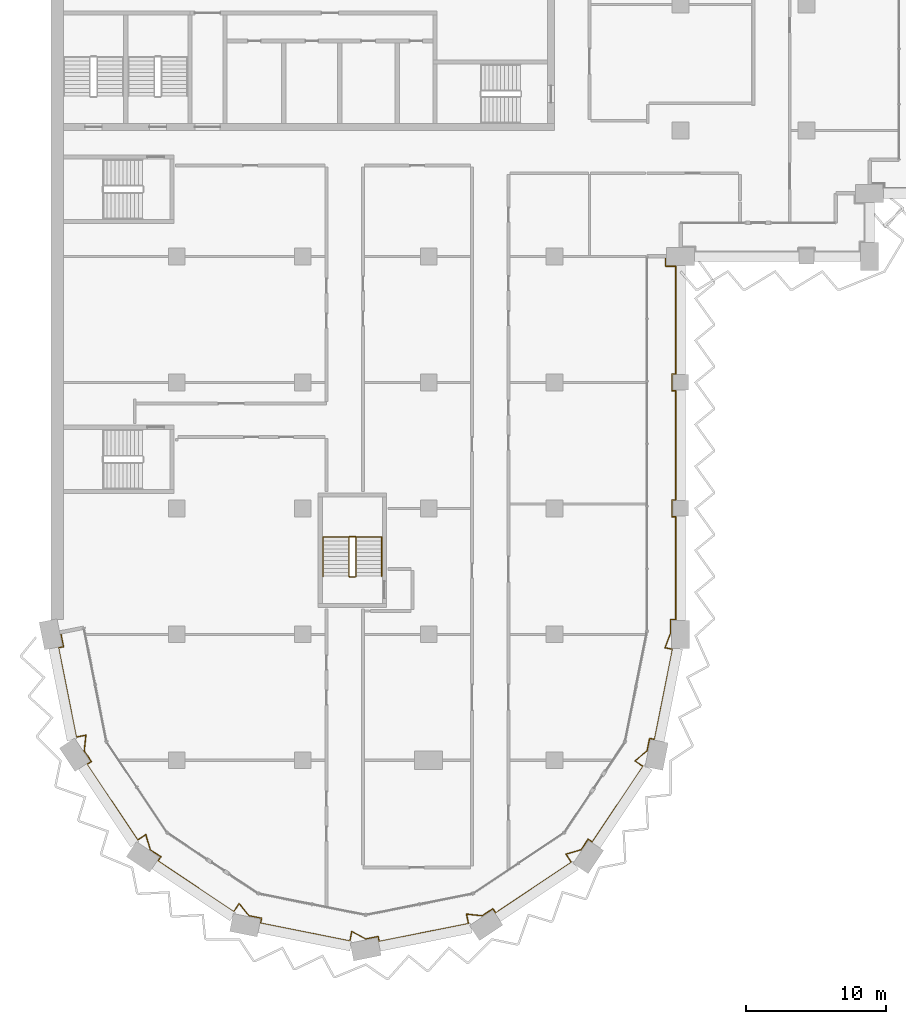
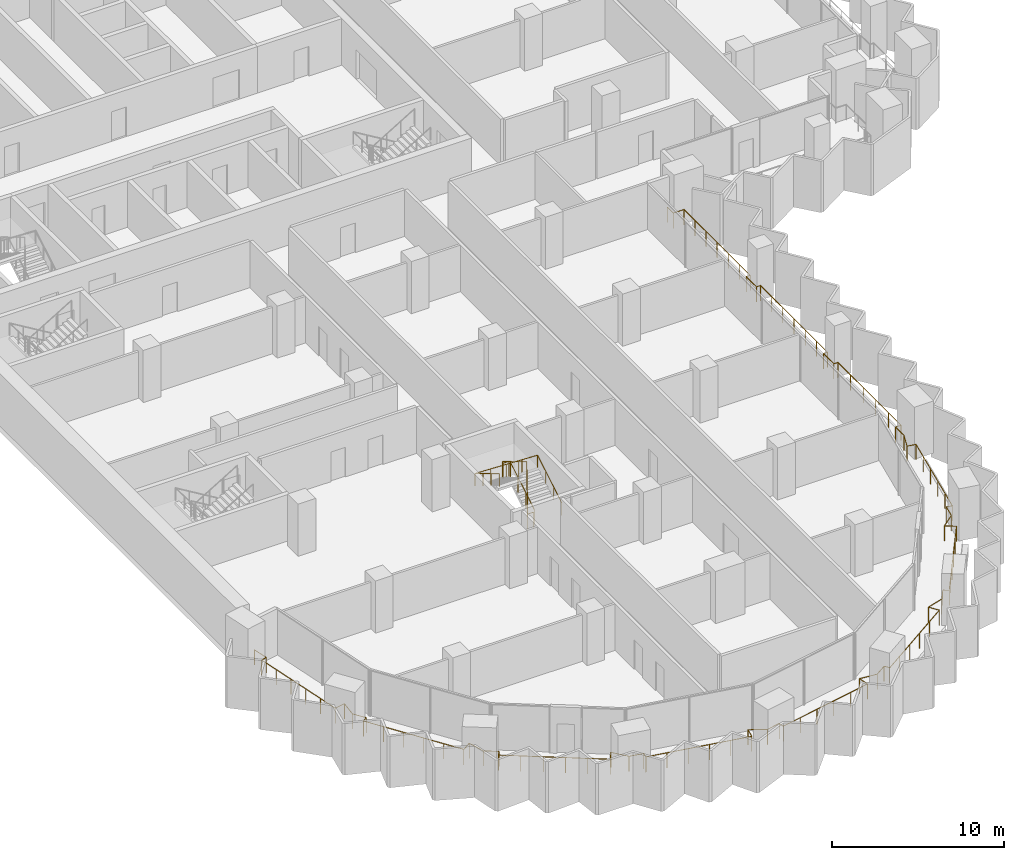
# One storey, part 20 of 23: 3 railings.
"""IFC4 building model written with IfcOpenShell, lengths in metres."""

import ifcopenshell
import ifcopenshell.guid

model = None  # the IFC model being written
_history = None  # IfcOwnerHistory: only IFC2X3 demands one
_inside = {}  # id of a spatial element -> (the spatial element, [elements in it])
_under = {}  # id of a project, library or spatial element -> (it, [spatial elements below it])
_declared = {}  # id of a project -> (the project, [libraries it declares])
_typed = {}  # id of a type object -> (the type object, [elements of that type])
_made_of = {}  # id of a material, layer set ... -> (it, [elements and type objects made of it])


def new_model(schema):
    """Start an empty IFC model of exactly this schema.

    Asked for "IFC4X3", IfcOpenShell would pick the latest addendum, in which some entities
    have other attributes; the version numbers below select the first issue.
    IFC2X3 requires an IfcOwnerHistory on every rooted entity: one is made here for all.
    """
    global model, _history
    if schema == "IFC4X3":
        model = ifcopenshell.file(schema_version=(4, 3, 0, 0))
    else:
        model = ifcopenshell.file(schema=schema)
    _inside.clear()
    _under.clear()
    _declared.clear()
    _typed.clear()
    _made_of.clear()
    _history = None
    if model.schema == "IFC2X3":
        org = make("IfcOrganization", Name="unknown")
        user = make(
            "IfcPersonAndOrganization",
            ThePerson=make("IfcPerson", FamilyName="unknown"),
            TheOrganization=org,
        )
        app = make(
            "IfcApplication",
            ApplicationDeveloper=org,
            Version="unknown",
            ApplicationFullName="unknown",
            ApplicationIdentifier="unknown",
        )
        _history = make(
            "IfcOwnerHistory",
            OwningUser=user,
            OwningApplication=app,
            ChangeAction="ADDED",
            CreationDate=0,
        )
    return model


def make(cls, **values):
    """One entity of the class cls with the attributes given. An attribute that is None is left unset."""
    return model.create_entity(
        cls, **{name: value for name, value in values.items() if value is not None}
    )


def rooted(cls, **values):
    """An entity with a GlobalId (a new one), such as an element, a storey or a relation."""
    return make(cls, GlobalId=ifcopenshell.guid.new(), OwnerHistory=_history, **values)


def si_unit(unit_type, name, prefix=None):
    """IfcSIUnit, for example si_unit("LENGTHUNIT", "METRE", prefix="MILLI")."""
    return make("IfcSIUnit", UnitType=unit_type, Prefix=prefix, Name=name)


def assignment(units):
    """IfcUnitAssignment: the units of a project."""
    return None if units is None else make("IfcUnitAssignment", Units=units)


def point(xyz):
    """IfcCartesianPoint."""
    return None if xyz is None else make("IfcCartesianPoint", Coordinates=xyz)


def direction(xyz):
    """IfcDirection."""
    return None if xyz is None else make("IfcDirection", DirectionRatios=xyz)


def frame(location, z_axis=None, x_axis=None):
    """IfcAxis2Placement3D, a coordinate frame: its origin and axes. An axis left out is left unset."""
    return make(
        "IfcAxis2Placement3D",
        Location=point(location),
        Axis=direction(z_axis),
        RefDirection=direction(x_axis),
    )


def frame_2d(location, x_axis=None):
    """IfcAxis2Placement2D, a coordinate frame in the plane: its origin and x axis."""
    return make(
        "IfcAxis2Placement2D", Location=point(location), RefDirection=direction(x_axis)
    )


def origin():
    """The frame at (0, 0, 0) with its axes left unset."""
    return frame((0.0, 0.0, 0.0))


def origin_2d():
    """The frame at (0, 0) in the plane with its x axis left unset."""
    return frame_2d((0.0, 0.0))


def place(relative_to, where):
    """IfcLocalPlacement: puts the frame where relative to a parent placement (None: the world)."""
    return make(
        "IfcLocalPlacement", PlacementRelTo=relative_to, RelativePlacement=where
    )


def context(
    kind, dimensions, precision=None, world=None, true_north=None, identifier=None
):
    """IfcGeometricRepresentationContext, for example the 3D "Model" context."""
    return make(
        "IfcGeometricRepresentationContext",
        ContextIdentifier=identifier,
        ContextType=kind,
        CoordinateSpaceDimension=dimensions,
        Precision=precision,
        WorldCoordinateSystem=world,
        TrueNorth=true_north,
    )


def subcontext(parent, identifier, kind, view, scale=None):
    """IfcGeometricRepresentationSubContext, for example "Body" below "Model"."""
    return make(
        "IfcGeometricRepresentationSubContext",
        ContextIdentifier=identifier,
        ContextType=kind,
        ParentContext=parent,
        TargetScale=scale,
        TargetView=view,
    )


def project(units=None, contexts=None):
    """IfcProject with its units and contexts."""
    return rooted(
        "IfcProject",
        Name="project",
        RepresentationContexts=contexts,
        UnitsInContext=assignment(units),
    )


def spatial(cls, under=None, at=None, **own):
    """A site, building, storey or space (cls), placed at a placement, below another one or the project."""
    s = rooted(cls, ObjectPlacement=at, **own)
    if under is not None:
        _under.setdefault(under.id(), (under, []))[1].append(s)
    return s


def profile(cls, at=None, kind="AREA", **sizes):
    """A parametric profile (cls). Its sizes go by their IFC names, for example OverallWidth=200.0."""
    return make(cls, ProfileType=kind, Position=at, **sizes)


def circle(**sizes):
    """IfcCircleProfileDef."""
    return profile("IfcCircleProfileDef", **sizes)


def extrude(swept, where, along, depth):
    """IfcExtrudedAreaSolid: the profile swept, set in the frame where, extruded along a direction by depth."""
    return make(
        "IfcExtrudedAreaSolid",
        SweptArea=swept,
        Position=where,
        ExtrudedDirection=direction(along),
        Depth=depth,
    )


def shape(context_of_items, identifier, shape_type, items):
    """IfcShapeRepresentation: the items that make up one representation, for example the "Body"."""
    return make(
        "IfcShapeRepresentation",
        ContextOfItems=context_of_items,
        RepresentationIdentifier=identifier,
        RepresentationType=shape_type,
        Items=items,
    )


def material(Name=None, Category=None):
    """IfcMaterial."""
    return make("IfcMaterial", Name=Name, Category=Category)


def made_of(thing, what):
    """Note that an element or type object is made of a material, layer set ...; save() writes the relation."""
    if what is not None:
        _made_of.setdefault(what.id(), (what, []))[1].append(thing)
    return thing


def type_object(cls, material=None, **own):
    """A type object (cls), such as IfcWallType, which elements share."""
    return made_of(rooted(cls, **own), material)


def element(
    cls,
    number,
    at=None,
    inside=None,
    cuts=None,
    type_object=None,
    material=None,
    context=None,
    identifier="Body",
    shape_type=None,
    held_by="IfcProductDefinitionShape",
    body=None,
    shapes=None,
    **own,
):
    """One element of the class cls, such as IfcWall. Its Tag is "e" and its number.

    at: its placement. inside: the storey or other place that contains it. cuts: it is an
    opening in that element (IfcRelVoidsElement). A single representation is given by context,
    identifier, shape_type and body (its items); several are given by shapes. held_by: the class
    of the entity that holds the representations. save() writes the other relations.
    """
    e = rooted(cls, Tag="e%d" % number, ObjectPlacement=at, **own)
    if body is not None:
        shapes = [shape(context, identifier, shape_type, body)]
    if shapes is not None:
        e.Representation = make(held_by, Representations=shapes)
    if inside is not None:
        _inside.setdefault(inside.id(), (inside, []))[1].append(e)
    if cuts is not None:
        rooted(
            "IfcRelVoidsElement", RelatingBuildingElement=cuts, RelatedOpeningElement=e
        )
    if type_object is not None:
        _typed.setdefault(type_object.id(), (type_object, []))[1].append(e)
    return made_of(e, material)


def aggregate(whole, parts):
    """IfcRelAggregates: a whole, such as a stair, and the parts it consists of."""
    return rooted("IfcRelAggregates", RelatingObject=whole, RelatedObjects=parts)


def save(model, path):
    """Write the relations noted so far, then the file.

    IfcRelAggregates (storeys below a building ...), IfcRelContainedInSpatialStructure (elements
    in a storey), IfcRelDefinesByType, IfcRelAssociatesMaterial and IfcRelDeclares: one each for
    every whole, place, type object, material and project.
    """
    for whole, parts in _under.values():
        aggregate(whole, parts)
    for where, things in _inside.values():
        rooted(
            "IfcRelContainedInSpatialStructure",
            RelatedElements=things,
            RelatingStructure=where,
        )
    for kind, things in _typed.values():
        rooted("IfcRelDefinesByType", RelatedObjects=things, RelatingType=kind)
    for what, things in _made_of.values():
        rooted("IfcRelAssociatesMaterial", RelatedObjects=things, RelatingMaterial=what)
    for by, libraries in _declared.values():
        rooted("IfcRelDeclares", RelatingContext=by, RelatedDefinitions=libraries)
    model.write(path)


model = new_model("IFC4")

# Units and contexts
model_context = context("Model", 3, precision=1e-05, world=origin(), true_north=direction((0.0, 1.0)))
body_context = subcontext(model_context, "Body", "Model", "MODEL_VIEW")
ifc_project = project(units=[si_unit("LENGTHUNIT", "METRE"), si_unit("AREAUNIT", "SQUARE_METRE"), si_unit("VOLUMEUNIT", "CUBIC_METRE"), si_unit("PLANEANGLEUNIT", "RADIAN"), si_unit("MASSUNIT", "GRAM", prefix="KILO")], contexts=[model_context])

# Site, building, storey
site_placement = place(None, origin())
site = spatial("IfcSite", under=ifc_project, at=site_placement, CompositionType="ELEMENT")
building_placement = place(site_placement, origin())
building = spatial("IfcBuilding", under=site, at=building_placement, Name="Hunhe Ridgeline Campus", CompositionType="ELEMENT")
storey_placement = place(building_placement, frame((0.0, 0.0, 152.300048828125)))
storey = spatial("IfcBuildingStorey", under=building, at=storey_placement, Name="L38", CompositionType="ELEMENT", Elevation=152.300048828125)

# Railings
ifc_material_1 = material(Name="Steel Q355", Category="steel")
railing_type_1 = type_object("IfcRailingType", Name="Loggia guard 1100 Steel Q355", PredefinedType="GUARDRAIL", material=ifc_material_1)
railing_1_placement = place(storey_placement, frame((0.7060546875, 27.140380859375, 0.0)))
element("IfcRailing", 1, at=railing_1_placement, inside=storey, type_object=railing_type_1, Name="Loggia guard 1", PredefinedType="GUARDRAIL", context=body_context, shape_type="SweptSolid", body=[
    extrude(circle(Radius=0.02392578125, at=origin_2d()), frame((0.0, 0.0, 1.076171875), z_axis=(0.195087556151, -0.980785830564, 0.0), x_axis=(0.980785830564, 0.195087556151, 0.0)), (0.0, 0.0, 1.0), 1.050048828125),
    extrude(circle(Radius=0.02392578125, at=origin_2d()), frame((0.204833984375, -1.02978515625, 1.076171875), z_axis=(-0.980858940504, -0.194719641621, 0.0), x_axis=(0.194719641621, -0.980858940504, 0.0)), (0.0, 0.0, 1.0), 0.369873046875),
    extrude(circle(Radius=0.02392578125, at=origin_2d()), frame((-0.157958984375, -1.101806640625, 1.076171875), z_axis=(0.19507695386, -0.9807879394, 0.0), x_axis=(0.9807879394, 0.19507695386, 0.0)), (0.0, 0.0, 1.0), 6.506591796875),
    extrude(circle(Radius=0.02392578125, at=origin_2d()), frame((1.111328125, -7.4833984375, 1.076171875), z_axis=(0.980780459814, 0.195114555191, 0.0), x_axis=(-0.195114555191, 0.980780459814, 0.0)), (0.0, 0.0, 1.0), 0.703125),
    extrude(circle(Radius=0.02392578125, at=origin_2d()), frame((1.801025390625, -7.34619140625, 1.076171875), z_axis=(-0.102884402445, -0.994693319437, 0.0), x_axis=(0.994693319437, -0.102884402445, 0.0)), (0.0, 0.0, 1.0), 1.129638671875),
    extrude(circle(Radius=0.02392578125, at=origin_2d()), frame((1.684814453125, -8.4697265625, 1.076171875), z_axis=(0.555569523548, -0.831470086356, 0.0), x_axis=(0.831470086356, 0.555569523548, 0.0)), (0.0, 0.0, 1.0), 0.906982421875),
    extrude(circle(Radius=0.02392578125, at=origin_2d()), frame((2.188720703125, -9.223876953125, 1.076171875), z_axis=(-0.831440678638, -0.555613532868, 0.0), x_axis=(0.555613532868, -0.831440678638, 0.0)), (0.0, 0.0, 1.0), 0.369873046875),
    extrude(circle(Radius=0.02392578125, at=origin_2d()), frame((1.881103515625, -9.429443359375, 1.076171875), z_axis=(0.55556581165, -0.83147256655, 0.0), x_axis=(0.83147256655, 0.55556581165, 0.0)), (0.0, 0.0, 1.0), 6.50634765625),
    extrude(circle(Radius=0.02392578125, at=origin_2d()), frame((5.495849609375, -14.83935546875, 1.076171875), z_axis=(0.831355400166, 0.555741125539, 0.0), x_axis=(-0.555741125539, 0.831355400166, 0.0)), (0.0, 0.0, 1.0), 0.703369140625),
    extrude(circle(Radius=0.02392578125, at=origin_2d()), frame((6.08056640625, -14.448486328125, 1.076171875), z_axis=(0.285463917281, -0.958389457335, 0.0), x_axis=(0.958389457335, 0.285463917281, 0.0)), (0.0, 0.0, 1.0), 1.1298828125),
    extrude(circle(Radius=0.02392578125, at=origin_2d()), frame((6.403076171875, -15.53125, 1.076171875), z_axis=(0.831511358569, -0.555507750235, 0.0), x_axis=(0.555507750235, 0.831511358569, 0.0)), (0.0, 0.0, 1.0), 0.90673828125),
    extrude(circle(Radius=0.02392578125, at=origin_2d()), frame((7.156982421875, -16.034912109375, 1.076171875), z_axis=(-0.555613532868, -0.831440678638, 0.0), x_axis=(0.831440678638, -0.555613532868, 0.0)), (0.0, 0.0, 1.0), 0.369873046875),
    extrude(circle(Radius=0.02392578125, at=origin_2d()), frame((6.951416015625, -16.342529296875, 1.076171875), z_axis=(0.831455233209, -0.555591752251, 0.0), x_axis=(0.555591752251, 0.831455233209, 0.0)), (0.0, 0.0, 1.0), 6.506591796875),
    extrude(circle(Radius=0.02392578125, at=origin_2d()), frame((12.361328125, -19.95751953125, 1.076171875), z_axis=(0.555741125539, 0.831355400166, 0.0), x_axis=(-0.831355400166, 0.555741125539, 0.0)), (0.0, 0.0, 1.0), 0.703369140625),
    extrude(circle(Radius=0.02392578125, at=origin_2d()), frame((12.752197265625, -19.372802734375, 1.076171875), z_axis=(0.630633305327, -0.776080945657, 0.0), x_axis=(0.776080945657, 0.630633305327, 0.0)), (0.0, 0.0, 1.0), 1.129638671875),
    extrude(circle(Radius=0.02392578125, at=origin_2d()), frame((13.464599609375, -20.24951171875, 1.076171875), z_axis=(0.980807887006, -0.194976636516, 0.0), x_axis=(0.194976636516, 0.980807887006, 0.0)), (0.0, 0.0, 1.0), 0.906494140625),
    extrude(circle(Radius=0.02392578125, at=origin_2d()), frame((14.353759765625, -20.42626953125, 1.076171875), z_axis=(-0.194593653816, -0.980883943132, 0.0), x_axis=(0.980883943132, -0.194593653816, 0.0)), (0.0, 0.0, 1.0), 0.3701171875),
    extrude(circle(Radius=0.02392578125, at=origin_2d()), frame((14.28173828125, -20.789306640625, 1.076171875), z_axis=(0.98078651142, -0.195084133173, 0.0), x_axis=(0.195084133173, 0.98078651142, 0.0)), (0.0, 0.0, 1.0), 6.50634765625),
    extrude(circle(Radius=0.02392578125, at=origin_2d()), frame((20.6630859375, -22.05859375, 1.076171875), z_axis=(0.195114555191, 0.980780459814, 0.0), x_axis=(-0.980780459814, 0.195114555191, 0.0)), (0.0, 0.0, 1.0), 0.703125),
    extrude(circle(Radius=0.02392578125, at=origin_2d()), frame((20.80029296875, -21.368896484375, 1.076171875), z_axis=(0.879616090555, -0.475684278946, 0.0), x_axis=(0.475684278946, 0.879616090555, 0.0)), (0.0, 0.0, 1.0), 1.129638671875),
    extrude(circle(Radius=0.02392578125, at=origin_2d()), frame((21.7939453125, -21.90625, 1.076171875), z_axis=(0.98081812081, 0.194925149456, 0.0), x_axis=(-0.194925149456, 0.98081812081, 0.0)), (0.0, 0.0, 1.0), 0.90673828125),
    extrude(circle(Radius=0.02392578125, at=origin_2d()), frame((22.683349609375, -21.7294921875, 1.076171875), z_axis=(0.194719641621, -0.980858940504, 0.0), x_axis=(0.980858940504, 0.194719641621, 0.0)), (0.0, 0.0, 1.0), 0.369873046875),
    extrude(circle(Radius=0.02392578125, at=origin_2d()), frame((22.75537109375, -22.09228515625, 1.076171875), z_axis=(0.9807879394, 0.19507695386, 0.0), x_axis=(-0.19507695386, 0.9807879394, 0.0)), (0.0, 0.0, 1.0), 6.506591796875),
    extrude(circle(Radius=0.02392578125, at=origin_2d()), frame((29.136962890625, -20.822998046875, 1.076171875), z_axis=(-0.195114555191, 0.980780459814, 0.0), x_axis=(-0.980780459814, -0.195114555191, 0.0)), (0.0, 0.0, 1.0), 0.703125),
    extrude(circle(Radius=0.02392578125, at=origin_2d()), frame((28.999755859375, -20.13330078125, 1.076171875), z_axis=(0.994693319437, -0.102884402445, 0.0), x_axis=(0.102884402445, 0.994693319437, 0.0)), (0.0, 0.0, 1.0), 1.129638671875),
    extrude(circle(Radius=0.02392578125, at=origin_2d()), frame((30.123291015625, -20.24951171875, 1.076171875), z_axis=(0.831470086356, 0.555569523548, 0.0), x_axis=(-0.555569523548, 0.831470086356, 0.0)), (0.0, 0.0, 1.0), 0.906982421875),
    extrude(circle(Radius=0.02392578125, at=origin_2d()), frame((30.87744140625, -19.74560546875, 1.076171875), z_axis=(0.555613532868, -0.831440678638, 0.0), x_axis=(0.831440678638, 0.555613532868, 0.0)), (0.0, 0.0, 1.0), 0.369873046875),
    extrude(circle(Radius=0.02392578125, at=origin_2d()), frame((31.0830078125, -20.05322265625, 1.076171875), z_axis=(0.83147256655, 0.55556581165, 0.0), x_axis=(-0.55556581165, 0.83147256655, 0.0)), (0.0, 0.0, 1.0), 6.50634765625),
    extrude(circle(Radius=0.02392578125, at=origin_2d()), frame((36.492919921875, -16.4384765625, 1.076171875), z_axis=(-0.555741125539, 0.831355400166, 0.0), x_axis=(-0.831355400166, -0.555741125539, 0.0)), (0.0, 0.0, 1.0), 0.703369140625),
    extrude(circle(Radius=0.02392578125, at=origin_2d()), frame((36.10205078125, -15.853759765625, 1.076171875), z_axis=(0.958389457335, 0.285463917281, 0.0), x_axis=(-0.285463917281, 0.958389457335, 0.0)), (0.0, 0.0, 1.0), 1.1298828125),
    extrude(circle(Radius=0.02392578125, at=origin_2d()), frame((37.184814453125, -15.53125, 1.076171875), z_axis=(0.555507750235, 0.831511358569, 0.0), x_axis=(-0.831511358569, 0.555507750235, 0.0)), (0.0, 0.0, 1.0), 0.90673828125),
    extrude(circle(Radius=0.02392578125, at=origin_2d()), frame((37.6884765625, -14.77734375, 1.076171875), z_axis=(0.831440678638, -0.555613532868, 0.0), x_axis=(0.555613532868, 0.831440678638, 0.0)), (0.0, 0.0, 1.0), 0.369873046875),
    extrude(circle(Radius=0.02392578125, at=origin_2d()), frame((37.99609375, -14.98291015625, 1.076171875), z_axis=(0.555591752251, 0.831455233209, 0.0), x_axis=(-0.831455233209, 0.555591752251, 0.0)), (0.0, 0.0, 1.0), 6.506591796875),
    extrude(circle(Radius=0.02392578125, at=origin_2d()), frame((41.611083984375, -9.572998046875, 1.076171875), z_axis=(-0.831355400166, 0.555741125539, 0.0), x_axis=(-0.555741125539, -0.831355400166, 0.0)), (0.0, 0.0, 1.0), 0.703369140625),
    extrude(circle(Radius=0.02392578125, at=origin_2d()), frame((41.0263671875, -9.18212890625, 1.076171875), z_axis=(0.776080945657, 0.630633305327, 0.0), x_axis=(-0.630633305327, 0.776080945657, 0.0)), (0.0, 0.0, 1.0), 1.129638671875),
    extrude(circle(Radius=0.02392578125, at=origin_2d()), frame((41.903076171875, -8.4697265625, 1.076171875), z_axis=(0.194976636516, 0.980807887006, 0.0), x_axis=(-0.980807887006, 0.194976636516, 0.0)), (0.0, 0.0, 1.0), 0.906494140625),
    extrude(circle(Radius=0.02392578125, at=origin_2d()), frame((42.079833984375, -7.58056640625, 1.076171875), z_axis=(0.980883943132, -0.194593653816, 0.0), x_axis=(0.194593653816, 0.980883943132, 0.0)), (0.0, 0.0, 1.0), 0.3701171875),
    extrude(circle(Radius=0.02392578125, at=origin_2d()), frame((42.44287109375, -7.652587890625, 1.076171875), z_axis=(0.195087191819, 0.980785903033, 0.0), x_axis=(-0.980785903033, 0.195087191819, 0.0)), (0.0, 0.0, 1.0), 6.5712890625),
    extrude(circle(Radius=0.02392578125, at=origin_2d()), frame((43.724853515625, -1.20751953125, 1.076171875), z_axis=(-0.9807502228, 0.195266485801, 0.0), x_axis=(-0.195266485801, -0.9807502228, 0.0)), (0.0, 0.0, 1.0), 0.552734375),
    extrude(circle(Radius=0.02392578125, at=origin_2d()), frame((43.182861328125, -1.099609375, 1.076171875), z_axis=(0.354981524628, 0.934873316109, 0.0), x_axis=(-0.934873316109, 0.354981524628, 0.0)), (0.0, 0.0, 1.0), 1.101806640625),
    extrude(circle(Radius=0.02392578125, at=origin_2d()), frame((43.573974609375, -0.069580078125, 1.076171875), z_axis=(0.0, 1.0, 0.0), x_axis=(-1.0, 0.0, 0.0)), (0.0, 0.0, 1.0), 0.979248046875),
    extrude(circle(Radius=0.02392578125, at=origin_2d()), frame((43.573974609375, 0.90966796875, 1.076171875), z_axis=(1.0, 0.0, 0.0), x_axis=(0.0, 1.0, 0.0)), (0.0, 0.0, 1.0), 0.369873046875),
    extrude(circle(Radius=0.02392578125, at=origin_2d()), frame((43.94384765625, 0.90966796875, 1.076171875), z_axis=(0.0, 1.0, 0.0), x_axis=(-1.0, 0.0, 0.0)), (0.0, 0.0, 1.0), 7.349853515625),
    extrude(circle(Radius=0.02392578125, at=origin_2d()), frame((43.94384765625, 8.259521484375, 1.076171875), z_axis=(-1.0, 0.0, 0.0), x_axis=(0.0, -1.0, 0.0)), (0.0, 0.0, 1.0), 0.27001953125),
    extrude(circle(Radius=0.02392578125, at=origin_2d()), frame((43.673828125, 8.259521484375, 1.076171875), z_axis=(0.0, 1.0, 0.0), x_axis=(-1.0, 0.0, 0.0)), (0.0, 0.0, 1.0), 1.2001953125),
    extrude(circle(Radius=0.02392578125, at=origin_2d()), frame((43.673828125, 9.459716796875, 1.076171875), z_axis=(1.0, 0.0, 0.0), x_axis=(0.0, 1.0, 0.0)), (0.0, 0.0, 1.0), 0.27001953125),
    extrude(circle(Radius=0.02392578125, at=origin_2d()), frame((43.94384765625, 9.459716796875, 1.076171875), z_axis=(0.0, 1.0, 0.0), x_axis=(-1.0, 0.0, 0.0)), (0.0, 0.0, 1.0), 7.7998046875),
    extrude(circle(Radius=0.02392578125, at=origin_2d()), frame((43.94384765625, 17.259521484375, 1.076171875), z_axis=(-1.0, 0.0, 0.0), x_axis=(0.0, -1.0, 0.0)), (0.0, 0.0, 1.0), 0.27001953125),
    extrude(circle(Radius=0.02392578125, at=origin_2d()), frame((43.673828125, 17.259521484375, 1.076171875), z_axis=(0.0, 1.0, 0.0), x_axis=(-1.0, 0.0, 0.0)), (0.0, 0.0, 1.0), 1.2001953125),
    extrude(circle(Radius=0.02392578125, at=origin_2d()), frame((43.673828125, 18.459716796875, 1.076171875), z_axis=(1.0, 0.0, 0.0), x_axis=(0.0, 1.0, 0.0)), (0.0, 0.0, 1.0), 0.27001953125),
    extrude(circle(Radius=0.02392578125, at=origin_2d()), frame((43.94384765625, 18.459716796875, 1.076171875), z_axis=(0.0, 1.0, 0.0), x_axis=(-1.0, 0.0, 0.0)), (0.0, 0.0, 1.0), 7.699951171875),
    extrude(circle(Radius=0.02392578125, at=origin_2d()), frame((43.94384765625, 26.15966796875, 1.076171875), z_axis=(-1.0, 0.0, 0.0), x_axis=(0.0, -1.0, 0.0)), (0.0, 0.0, 1.0), 0.719970703125),
    extrude(circle(Radius=0.02392578125, at=origin_2d()), frame((43.223876953125, 26.15966796875, 1.076171875), z_axis=(0.0, 1.0, 0.0), x_axis=(-1.0, 0.0, 0.0)), (0.0, 0.0, 1.0), 0.699951171875),
    extrude(circle(Radius=0.02099609375, at=origin_2d()), origin(), (0.0, 0.0, 1.0), 1.052001953125),
    extrude(circle(Radius=0.02099609375, at=origin_2d()), frame((0.204833984375, -1.02978515625, 0.0)), (0.0, 0.0, 1.0), 1.052001953125),
    extrude(circle(Radius=0.02099609375, at=origin_2d()), frame((-0.157958984375, -1.101806640625, 0.0)), (0.0, 0.0, 1.0), 1.052001953125),
    extrude(circle(Radius=0.02099609375, at=origin_2d()), frame((0.095947265625, -2.378173828125, 0.0)), (0.0, 0.0, 1.0), 1.052001953125),
    extrude(circle(Radius=0.02099609375, at=origin_2d()), frame((0.349853515625, -3.654541015625, 0.0)), (0.0, 0.0, 1.0), 1.052001953125),
    extrude(circle(Radius=0.02099609375, at=origin_2d()), frame((0.603515625, -4.9306640625, 0.0)), (0.0, 0.0, 1.0), 1.052001953125),
    extrude(circle(Radius=0.02099609375, at=origin_2d()), frame((0.857421875, -6.20703125, 0.0)), (0.0, 0.0, 1.0), 1.052001953125),
    extrude(circle(Radius=0.02099609375, at=origin_2d()), frame((1.111328125, -7.4833984375, 0.0)), (0.0, 0.0, 1.0), 1.052001953125),
    extrude(circle(Radius=0.02099609375, at=origin_2d()), frame((1.801025390625, -7.34619140625, 0.0)), (0.0, 0.0, 1.0), 1.052001953125),
    extrude(circle(Radius=0.02099609375, at=origin_2d()), frame((1.684814453125, -8.4697265625, 0.0)), (0.0, 0.0, 1.0), 1.052001953125),
    extrude(circle(Radius=0.02099609375, at=origin_2d()), frame((2.188720703125, -9.223876953125, 0.0)), (0.0, 0.0, 1.0), 1.052001953125),
    extrude(circle(Radius=0.02099609375, at=origin_2d()), frame((1.881103515625, -9.429443359375, 0.0)), (0.0, 0.0, 1.0), 1.052001953125),
    extrude(circle(Radius=0.02099609375, at=origin_2d()), frame((2.60400390625, -10.511474609375, 0.0)), (0.0, 0.0, 1.0), 1.052001953125),
    extrude(circle(Radius=0.02099609375, at=origin_2d()), frame((3.326904296875, -11.593505859375, 0.0)), (0.0, 0.0, 1.0), 1.052001953125),
    extrude(circle(Radius=0.02099609375, at=origin_2d()), frame((4.050048828125, -12.67529296875, 0.0)), (0.0, 0.0, 1.0), 1.052001953125),
    extrude(circle(Radius=0.02099609375, at=origin_2d()), frame((4.77294921875, -13.75732421875, 0.0)), (0.0, 0.0, 1.0), 1.052001953125),
    extrude(circle(Radius=0.02099609375, at=origin_2d()), frame((5.495849609375, -14.83935546875, 0.0)), (0.0, 0.0, 1.0), 1.052001953125),
    extrude(circle(Radius=0.02099609375, at=origin_2d()), frame((6.08056640625, -14.448486328125, 0.0)), (0.0, 0.0, 1.0), 1.052001953125),
    extrude(circle(Radius=0.02099609375, at=origin_2d()), frame((6.403076171875, -15.53125, 0.0)), (0.0, 0.0, 1.0), 1.052001953125),
    extrude(circle(Radius=0.02099609375, at=origin_2d()), frame((7.156982421875, -16.034912109375, 0.0)), (0.0, 0.0, 1.0), 1.052001953125),
    extrude(circle(Radius=0.02099609375, at=origin_2d()), frame((6.951416015625, -16.342529296875, 0.0)), (0.0, 0.0, 1.0), 1.052001953125),
    extrude(circle(Radius=0.02099609375, at=origin_2d()), frame((8.033447265625, -17.0654296875, 0.0)), (0.0, 0.0, 1.0), 1.052001953125),
    extrude(circle(Radius=0.02099609375, at=origin_2d()), frame((9.115478515625, -17.78857421875, 0.0)), (0.0, 0.0, 1.0), 1.052001953125),
    extrude(circle(Radius=0.02099609375, at=origin_2d()), frame((10.197265625, -18.511474609375, 0.0)), (0.0, 0.0, 1.0), 1.052001953125),
    extrude(circle(Radius=0.02099609375, at=origin_2d()), frame((11.279296875, -19.234619140625, 0.0)), (0.0, 0.0, 1.0), 1.052001953125),
    extrude(circle(Radius=0.02099609375, at=origin_2d()), frame((12.361328125, -19.95751953125, 0.0)), (0.0, 0.0, 1.0), 1.052001953125),
    extrude(circle(Radius=0.02099609375, at=origin_2d()), frame((12.752197265625, -19.372802734375, 0.0)), (0.0, 0.0, 1.0), 1.052001953125),
    extrude(circle(Radius=0.02099609375, at=origin_2d()), frame((13.464599609375, -20.24951171875, 0.0)), (0.0, 0.0, 1.0), 1.052001953125),
    extrude(circle(Radius=0.02099609375, at=origin_2d()), frame((14.353759765625, -20.42626953125, 0.0)), (0.0, 0.0, 1.0), 1.052001953125),
    extrude(circle(Radius=0.02099609375, at=origin_2d()), frame((14.28173828125, -20.789306640625, 0.0)), (0.0, 0.0, 1.0), 1.052001953125),
    extrude(circle(Radius=0.02099609375, at=origin_2d()), frame((15.55810546875, -21.043212890625, 0.0)), (0.0, 0.0, 1.0), 1.052001953125),
    extrude(circle(Radius=0.02099609375, at=origin_2d()), frame((16.834228515625, -21.297119140625, 0.0)), (0.0, 0.0, 1.0), 1.052001953125),
    extrude(circle(Radius=0.02099609375, at=origin_2d()), frame((18.110595703125, -21.55078125, 0.0)), (0.0, 0.0, 1.0), 1.052001953125),
    extrude(circle(Radius=0.02099609375, at=origin_2d()), frame((19.38671875, -21.8046875, 0.0)), (0.0, 0.0, 1.0), 1.052001953125),
    extrude(circle(Radius=0.02099609375, at=origin_2d()), frame((20.6630859375, -22.05859375, 0.0)), (0.0, 0.0, 1.0), 1.052001953125),
    extrude(circle(Radius=0.02099609375, at=origin_2d()), frame((20.80029296875, -21.368896484375, 0.0)), (0.0, 0.0, 1.0), 1.052001953125),
    extrude(circle(Radius=0.02099609375, at=origin_2d()), frame((21.7939453125, -21.90625, 0.0)), (0.0, 0.0, 1.0), 1.052001953125),
    extrude(circle(Radius=0.02099609375, at=origin_2d()), frame((22.683349609375, -21.7294921875, 0.0)), (0.0, 0.0, 1.0), 1.052001953125),
    extrude(circle(Radius=0.02099609375, at=origin_2d()), frame((22.75537109375, -22.09228515625, 0.0)), (0.0, 0.0, 1.0), 1.052001953125),
    extrude(circle(Radius=0.02099609375, at=origin_2d()), frame((24.03173828125, -21.83837890625, 0.0)), (0.0, 0.0, 1.0), 1.052001953125),
    extrude(circle(Radius=0.02099609375, at=origin_2d()), frame((25.30810546875, -21.58447265625, 0.0)), (0.0, 0.0, 1.0), 1.052001953125),
    extrude(circle(Radius=0.02099609375, at=origin_2d()), frame((26.584228515625, -21.330810546875, 0.0)), (0.0, 0.0, 1.0), 1.052001953125),
    extrude(circle(Radius=0.02099609375, at=origin_2d()), frame((27.860595703125, -21.076904296875, 0.0)), (0.0, 0.0, 1.0), 1.052001953125),
    extrude(circle(Radius=0.02099609375, at=origin_2d()), frame((29.136962890625, -20.822998046875, 0.0)), (0.0, 0.0, 1.0), 1.052001953125),
    extrude(circle(Radius=0.02099609375, at=origin_2d()), frame((28.999755859375, -20.13330078125, 0.0)), (0.0, 0.0, 1.0), 1.052001953125),
    extrude(circle(Radius=0.02099609375, at=origin_2d()), frame((30.123291015625, -20.24951171875, 0.0)), (0.0, 0.0, 1.0), 1.052001953125),
    extrude(circle(Radius=0.02099609375, at=origin_2d()), frame((30.87744140625, -19.74560546875, 0.0)), (0.0, 0.0, 1.0), 1.052001953125),
    extrude(circle(Radius=0.02099609375, at=origin_2d()), frame((31.0830078125, -20.05322265625, 0.0)), (0.0, 0.0, 1.0), 1.052001953125),
    extrude(circle(Radius=0.02099609375, at=origin_2d()), frame((32.1650390625, -19.330322265625, 0.0)), (0.0, 0.0, 1.0), 1.052001953125),
    extrude(circle(Radius=0.02099609375, at=origin_2d()), frame((33.2470703125, -18.607421875, 0.0)), (0.0, 0.0, 1.0), 1.052001953125),
    extrude(circle(Radius=0.02099609375, at=origin_2d()), frame((34.328857421875, -17.88427734375, 0.0)), (0.0, 0.0, 1.0), 1.052001953125),
    extrude(circle(Radius=0.02099609375, at=origin_2d()), frame((35.410888671875, -17.161376953125, 0.0)), (0.0, 0.0, 1.0), 1.052001953125),
    extrude(circle(Radius=0.02099609375, at=origin_2d()), frame((36.492919921875, -16.4384765625, 0.0)), (0.0, 0.0, 1.0), 1.052001953125),
    extrude(circle(Radius=0.02099609375, at=origin_2d()), frame((36.10205078125, -15.853759765625, 0.0)), (0.0, 0.0, 1.0), 1.052001953125),
    extrude(circle(Radius=0.02099609375, at=origin_2d()), frame((37.184814453125, -15.53125, 0.0)), (0.0, 0.0, 1.0), 1.052001953125),
    extrude(circle(Radius=0.02099609375, at=origin_2d()), frame((37.6884765625, -14.77734375, 0.0)), (0.0, 0.0, 1.0), 1.052001953125),
    extrude(circle(Radius=0.02099609375, at=origin_2d()), frame((37.99609375, -14.98291015625, 0.0)), (0.0, 0.0, 1.0), 1.052001953125),
    extrude(circle(Radius=0.02099609375, at=origin_2d()), frame((38.718994140625, -13.90087890625, 0.0)), (0.0, 0.0, 1.0), 1.052001953125),
    extrude(circle(Radius=0.02099609375, at=origin_2d()), frame((39.442138671875, -12.81884765625, 0.0)), (0.0, 0.0, 1.0), 1.052001953125),
    extrude(circle(Radius=0.02099609375, at=origin_2d()), frame((40.1650390625, -11.737060546875, 0.0)), (0.0, 0.0, 1.0), 1.052001953125),
    extrude(circle(Radius=0.02099609375, at=origin_2d()), frame((40.88818359375, -10.655029296875, 0.0)), (0.0, 0.0, 1.0), 1.052001953125),
    extrude(circle(Radius=0.02099609375, at=origin_2d()), frame((41.611083984375, -9.572998046875, 0.0)), (0.0, 0.0, 1.0), 1.052001953125),
    extrude(circle(Radius=0.02099609375, at=origin_2d()), frame((41.0263671875, -9.18212890625, 0.0)), (0.0, 0.0, 1.0), 1.052001953125),
    extrude(circle(Radius=0.02099609375, at=origin_2d()), frame((41.903076171875, -8.4697265625, 0.0)), (0.0, 0.0, 1.0), 1.052001953125),
    extrude(circle(Radius=0.02099609375, at=origin_2d()), frame((42.079833984375, -7.58056640625, 0.0)), (0.0, 0.0, 1.0), 1.052001953125),
    extrude(circle(Radius=0.02099609375, at=origin_2d()), frame((42.44287109375, -7.652587890625, 0.0)), (0.0, 0.0, 1.0), 1.052001953125),
    extrude(circle(Radius=0.02099609375, at=origin_2d()), frame((42.69921875, -6.363525390625, 0.0)), (0.0, 0.0, 1.0), 1.052001953125),
    extrude(circle(Radius=0.02099609375, at=origin_2d()), frame((42.95556640625, -5.074462890625, 0.0)), (0.0, 0.0, 1.0), 1.052001953125),
    extrude(circle(Radius=0.02099609375, at=origin_2d()), frame((43.212158203125, -3.78564453125, 0.0)), (0.0, 0.0, 1.0), 1.052001953125),
    extrude(circle(Radius=0.02099609375, at=origin_2d()), frame((43.468505859375, -2.49658203125, 0.0)), (0.0, 0.0, 1.0), 1.052001953125),
    extrude(circle(Radius=0.02099609375, at=origin_2d()), frame((43.724853515625, -1.20751953125, 0.0)), (0.0, 0.0, 1.0), 1.052001953125),
    extrude(circle(Radius=0.02099609375, at=origin_2d()), frame((43.182861328125, -1.099609375, 0.0)), (0.0, 0.0, 1.0), 1.052001953125),
    extrude(circle(Radius=0.02099609375, at=origin_2d()), frame((43.573974609375, -0.069580078125, 0.0)), (0.0, 0.0, 1.0), 1.052001953125),
    extrude(circle(Radius=0.02099609375, at=origin_2d()), frame((43.573974609375, 0.90966796875, 0.0)), (0.0, 0.0, 1.0), 1.052001953125),
    extrude(circle(Radius=0.02099609375, at=origin_2d()), frame((43.94384765625, 0.90966796875, 0.0)), (0.0, 0.0, 1.0), 1.052001953125),
    extrude(circle(Radius=0.02099609375, at=origin_2d()), frame((43.94384765625, 2.379638671875, 0.0)), (0.0, 0.0, 1.0), 1.052001953125),
    extrude(circle(Radius=0.02099609375, at=origin_2d()), frame((43.94384765625, 3.849609375, 0.0)), (0.0, 0.0, 1.0), 1.052001953125),
    extrude(circle(Radius=0.02099609375, at=origin_2d()), frame((43.94384765625, 5.319580078125, 0.0)), (0.0, 0.0, 1.0), 1.052001953125),
    extrude(circle(Radius=0.02099609375, at=origin_2d()), frame((43.94384765625, 6.78955078125, 0.0)), (0.0, 0.0, 1.0), 1.052001953125),
    extrude(circle(Radius=0.02099609375, at=origin_2d()), frame((43.94384765625, 8.259521484375, 0.0)), (0.0, 0.0, 1.0), 1.052001953125),
    extrude(circle(Radius=0.02099609375, at=origin_2d()), frame((43.673828125, 8.259521484375, 0.0)), (0.0, 0.0, 1.0), 1.052001953125),
    extrude(circle(Radius=0.02099609375, at=origin_2d()), frame((43.673828125, 9.459716796875, 0.0)), (0.0, 0.0, 1.0), 1.052001953125),
    extrude(circle(Radius=0.02099609375, at=origin_2d()), frame((43.94384765625, 9.459716796875, 0.0)), (0.0, 0.0, 1.0), 1.052001953125),
    extrude(circle(Radius=0.02099609375, at=origin_2d()), frame((43.94384765625, 10.759765625, 0.0)), (0.0, 0.0, 1.0), 1.052001953125),
    extrude(circle(Radius=0.02099609375, at=origin_2d()), frame((43.94384765625, 12.0595703125, 0.0)), (0.0, 0.0, 1.0), 1.052001953125),
    extrude(circle(Radius=0.02099609375, at=origin_2d()), frame((43.94384765625, 13.359619140625, 0.0)), (0.0, 0.0, 1.0), 1.052001953125),
    extrude(circle(Radius=0.02099609375, at=origin_2d()), frame((43.94384765625, 14.65966796875, 0.0)), (0.0, 0.0, 1.0), 1.052001953125),
    extrude(circle(Radius=0.02099609375, at=origin_2d()), frame((43.94384765625, 15.95947265625, 0.0)), (0.0, 0.0, 1.0), 1.052001953125),
    extrude(circle(Radius=0.02099609375, at=origin_2d()), frame((43.94384765625, 17.259521484375, 0.0)), (0.0, 0.0, 1.0), 1.052001953125),
    extrude(circle(Radius=0.02099609375, at=origin_2d()), frame((43.673828125, 17.259521484375, 0.0)), (0.0, 0.0, 1.0), 1.052001953125),
    extrude(circle(Radius=0.02099609375, at=origin_2d()), frame((43.673828125, 18.459716796875, 0.0)), (0.0, 0.0, 1.0), 1.052001953125),
    extrude(circle(Radius=0.02099609375, at=origin_2d()), frame((43.94384765625, 18.459716796875, 0.0)), (0.0, 0.0, 1.0), 1.052001953125),
    extrude(circle(Radius=0.02099609375, at=origin_2d()), frame((43.94384765625, 19.7431640625, 0.0)), (0.0, 0.0, 1.0), 1.052001953125),
    extrude(circle(Radius=0.02099609375, at=origin_2d()), frame((43.94384765625, 21.0263671875, 0.0)), (0.0, 0.0, 1.0), 1.052001953125),
    extrude(circle(Radius=0.02099609375, at=origin_2d()), frame((43.94384765625, 22.3095703125, 0.0)), (0.0, 0.0, 1.0), 1.052001953125),
    extrude(circle(Radius=0.02099609375, at=origin_2d()), frame((43.94384765625, 23.593017578125, 0.0)), (0.0, 0.0, 1.0), 1.052001953125),
    extrude(circle(Radius=0.02099609375, at=origin_2d()), frame((43.94384765625, 24.87646484375, 0.0)), (0.0, 0.0, 1.0), 1.052001953125),
    extrude(circle(Radius=0.02099609375, at=origin_2d()), frame((43.94384765625, 26.15966796875, 0.0)), (0.0, 0.0, 1.0), 1.052001953125),
    extrude(circle(Radius=0.02099609375, at=origin_2d()), frame((43.223876953125, 26.15966796875, 0.0)), (0.0, 0.0, 1.0), 1.052001953125),
    extrude(circle(Radius=0.02099609375, at=origin_2d()), frame((43.223876953125, 26.859619140625, 0.0)), (0.0, 0.0, 1.0), 1.052001953125),
])
ifc_material_2 = material(Name="Stainless steel balustrade", Category="steel")
railing_type_2 = type_object("IfcRailingType", Name="Stair guard 1100 stainless", PredefinedType="GUARDRAIL", material=ifc_material_2)
railing_2_placement = place(storey_placement, frame((21.800048828125, 31.14990234375, 0.168212890625)))
element("IfcRailing", 2, at=railing_2_placement, inside=storey, type_object=railing_type_2, Name="L38 stair W3 guard", PredefinedType="GUARDRAIL", context=body_context, shape_type="SweptSolid", body=[
    extrude(circle(Radius=0.02392578125, at=origin_2d()), frame((0.0, 0.0, 1.076171875), z_axis=(0.0, 0.857275202839, 0.514858452973), x_axis=(-1.0, 0.0, 0.0)), (0.0, 0.0, 1.0), 3.26611328125),
    extrude(circle(Radius=0.02392578125, at=origin_2d()), frame((0.0, 2.800048828125, 2.7578125), z_axis=(-0.707106781187, 0.707106781187, 0.0), x_axis=(-0.707106781187, -0.707106781187, 0.0)), (0.0, 0.0, 1.0), 0.07080078125),
    extrude(circle(Radius=0.02392578125, at=origin_2d()), frame((-0.050048828125, 2.85009765625, 2.7578125), z_axis=(-1.0, 0.0, 0.0), x_axis=(0.0, -1.0, 0.0)), (0.0, 0.0, 1.0), 0.39990234375),
    extrude(circle(Radius=0.02392578125, at=origin_2d()), frame((-0.449951171875, 2.85009765625, 2.7578125), z_axis=(-0.274243871929, -0.274243871929, 0.92172696468), x_axis=(0.707106781187, -0.707106781187, 0.0)), (0.0, 0.0, 1.0), 0.1826171875),
    extrude(circle(Radius=0.02392578125, at=origin_2d()), frame((-0.5, 2.800048828125, 2.92578125), z_axis=(0.0, -0.857242210791, 0.514913383045), x_axis=(1.0, 0.0, 0.0)), (0.0, 0.0, 1.0), 3.266357421875),
    extrude(circle(Radius=0.02392578125, at=origin_2d()), frame((-0.5, 0.0, 4.60791015625), z_axis=(0.013524426427, -0.013458453615, -0.999817963389), x_axis=(0.705375805398, 0.708833529934, 0.0)), (0.0, 0.0, 1.0), 3.70068359375),
    extrude(circle(Radius=0.02392578125, at=origin_2d()), frame((-0.449951171875, -0.0498046875, 0.90771484375), z_axis=(1.0, 0.0, 0.0), x_axis=(0.0, 1.0, 0.0)), (0.0, 0.0, 1.0), 0.39990234375),
    extrude(circle(Radius=0.02099609375, at=origin_2d()), origin(), (0.0, 0.0, 1.0), 1.052001953125),
    extrude(circle(Radius=0.02099609375, at=origin_2d()), frame((0.0, 0.933349609375, 0.560546875)), (0.0, 0.0, 1.0), 1.052001953125),
    extrude(circle(Radius=0.02099609375, at=origin_2d()), frame((0.0, 1.86669921875, 1.12109375)), (0.0, 0.0, 1.0), 1.052001953125),
    extrude(circle(Radius=0.02099609375, at=origin_2d()), frame((0.0, 2.800048828125, 1.681640625)), (0.0, 0.0, 1.0), 1.052001953125),
    extrude(circle(Radius=0.02099609375, at=origin_2d()), frame((-0.050048828125, 2.85009765625, 1.681640625)), (0.0, 0.0, 1.0), 1.052001953125),
    extrude(circle(Radius=0.02099609375, at=origin_2d()), frame((-0.449951171875, 2.85009765625, 1.681640625)), (0.0, 0.0, 1.0), 1.052001953125),
    extrude(circle(Radius=0.02099609375, at=origin_2d()), frame((-0.5, 2.800048828125, 1.849853515625)), (0.0, 0.0, 1.0), 1.052001953125),
    extrude(circle(Radius=0.02099609375, at=origin_2d()), frame((-0.5, 1.86669921875, 2.410400390625)), (0.0, 0.0, 1.0), 1.052001953125),
    extrude(circle(Radius=0.02099609375, at=origin_2d()), frame((-0.5, 0.933349609375, 2.97119140625)), (0.0, 0.0, 1.0), 1.052001953125),
    extrude(circle(Radius=0.02099609375, at=origin_2d()), frame((-0.5, 0.0, 3.53173828125)), (0.0, 0.0, 1.0), 1.052001953125),
    extrude(circle(Radius=0.02099609375, at=origin_2d()), frame((-0.487548828125, -0.012451171875, 2.606689453125)), (0.0, 0.0, 1.0), 1.052001953125),
    extrude(circle(Radius=0.02099609375, at=origin_2d()), frame((-0.47509765625, -0.02490234375, 1.681640625)), (0.0, 0.0, 1.0), 1.052001953125),
    extrude(circle(Radius=0.02099609375, at=origin_2d()), frame((-0.46240234375, -0.037353515625, 0.7568359375)), (0.0, 0.0, 1.0), 1.052001953125),
    extrude(circle(Radius=0.02099609375, at=origin_2d()), frame((-0.449951171875, -0.0498046875, -0.168212890625)), (0.0, 0.0, 1.0), 1.052001953125),
    extrude(circle(Radius=0.02099609375, at=origin_2d()), frame((-0.050048828125, -0.0498046875, -0.168212890625)), (0.0, 0.0, 1.0), 1.052001953125),
])
ifc_material_3 = material(Name="Stainless steel handrail", Category="steel")
railing_type_3 = type_object("IfcRailingType", Name="Stair handrail 900 stainless", PredefinedType="HANDRAIL", material=ifc_material_3)
railing_3_placement = place(storey_placement, frame((23.64990234375, 31.14990234375, 0.168212890625)))
element("IfcRailing", 3, at=railing_3_placement, inside=storey, type_object=railing_type_3, Name="L38 stair W3 handrail", PredefinedType="HANDRAIL", context=body_context, shape_type="SweptSolid", body=[
    extrude(circle(Radius=0.02392578125, at=origin_2d()), frame((0.0, 0.0, 0.8759765625), z_axis=(0.0, 0.857275202839, 0.514858452973), x_axis=(-1.0, 0.0, 0.0)), (0.0, 0.0, 1.0), 3.26611328125),
    extrude(circle(Radius=0.02392578125, at=origin_2d()), frame((0.0, 2.800048828125, 2.5576171875), z_axis=(-0.999198916169, 0.0, 0.040019069537), x_axis=(0.0, -1.0, 0.0)), (0.0, 0.0, 1.0), 4.203369140625),
    extrude(circle(Radius=0.02392578125, at=origin_2d()), frame((-4.199951171875, 2.800048828125, 2.7255859375), z_axis=(0.0, -0.857242210791, 0.514913383045), x_axis=(1.0, 0.0, 0.0)), (0.0, 0.0, 1.0), 3.266357421875),
    extrude(circle(Radius=0.02099609375, at=origin_2d()), origin(), (0.0, 0.0, 1.0), 0.851806640625),
    extrude(circle(Radius=0.02099609375, at=origin_2d()), frame((0.0, 0.933349609375, 0.560546875)), (0.0, 0.0, 1.0), 0.851806640625),
    extrude(circle(Radius=0.02099609375, at=origin_2d()), frame((0.0, 1.86669921875, 1.12109375)), (0.0, 0.0, 1.0), 0.851806640625),
    extrude(circle(Radius=0.02099609375, at=origin_2d()), frame((0.0, 2.800048828125, 1.681640625)), (0.0, 0.0, 1.0), 0.851806640625),
    extrude(circle(Radius=0.02099609375, at=origin_2d()), frame((-1.050048828125, 2.800048828125, 1.7236328125)), (0.0, 0.0, 1.0), 0.851806640625),
    extrude(circle(Radius=0.02099609375, at=origin_2d()), frame((-2.10009765625, 2.800048828125, 1.765625)), (0.0, 0.0, 1.0), 0.851806640625),
    extrude(circle(Radius=0.02099609375, at=origin_2d()), frame((-3.14990234375, 2.800048828125, 1.807861328125)), (0.0, 0.0, 1.0), 0.851806640625),
    extrude(circle(Radius=0.02099609375, at=origin_2d()), frame((-4.199951171875, 2.800048828125, 1.849853515625)), (0.0, 0.0, 1.0), 0.851806640625),
    extrude(circle(Radius=0.02099609375, at=origin_2d()), frame((-4.199951171875, 1.86669921875, 2.410400390625)), (0.0, 0.0, 1.0), 0.851806640625),
    extrude(circle(Radius=0.02099609375, at=origin_2d()), frame((-4.199951171875, 0.933349609375, 2.97119140625)), (0.0, 0.0, 1.0), 0.851806640625),
    extrude(circle(Radius=0.02099609375, at=origin_2d()), frame((-4.199951171875, 0.0, 3.53173828125)), (0.0, 0.0, 1.0), 0.851806640625),
])

save(model, "model.ifc")
